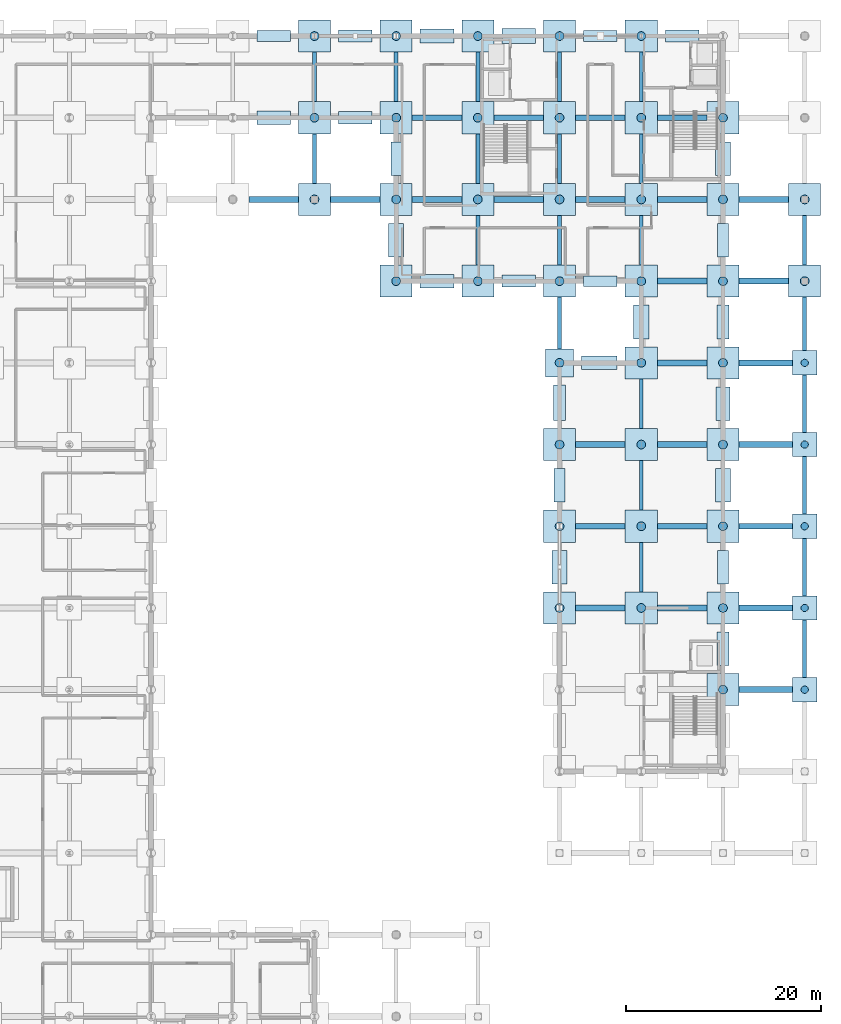
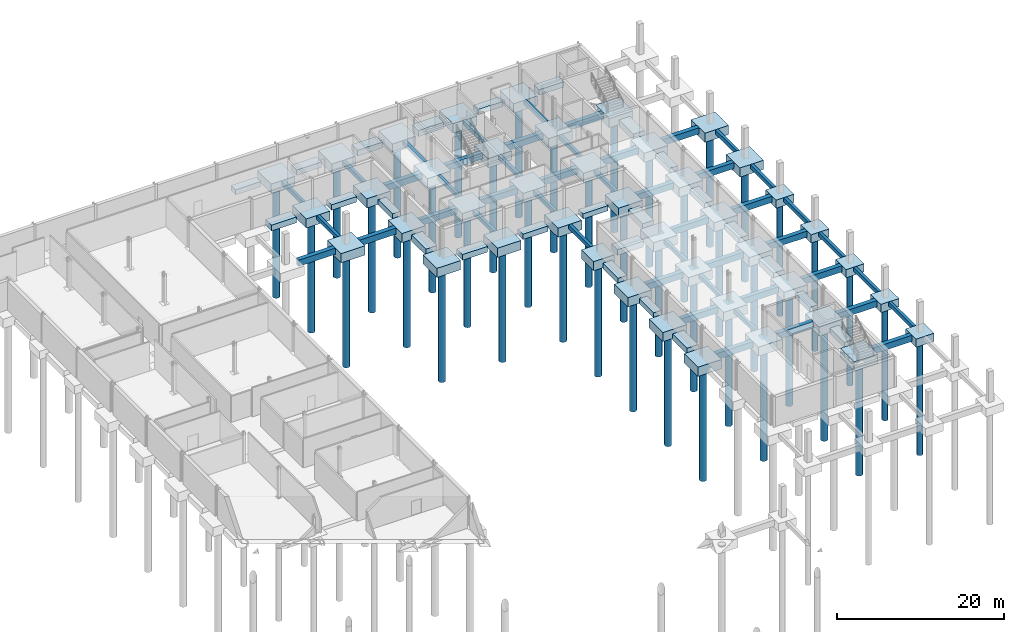
# One storey, part 7 of 43: 114 footings, 42 piles.
"""IFC4 building model written with IfcOpenShell, lengths in metres."""

from ifc_helpers import new_model, si_unit, direction, frame, origin, origin_2d, place, context, subcontext, project, spatial, rectangle, circle, extrude, material, layer, layer_set, material_profile, profile_set, type_object, element, save


model = new_model("IFC4")

# Units and contexts
model_context = context("Model", 3, precision=1e-05, world=origin(), true_north=direction((0.0, 1.0)))
body_context = subcontext(model_context, "Body", "Model", "MODEL_VIEW")
ifc_project = project(units=[si_unit("LENGTHUNIT", "METRE"), si_unit("AREAUNIT", "SQUARE_METRE"), si_unit("VOLUMEUNIT", "CUBIC_METRE"), si_unit("PLANEANGLEUNIT", "RADIAN"), si_unit("MASSUNIT", "GRAM", prefix="KILO")], contexts=[model_context])

# Site, building, storey
site_placement = place(None, origin())
site = spatial("IfcSite", under=ifc_project, at=site_placement, CompositionType="ELEMENT")
building_placement = place(site_placement, origin())
building = spatial("IfcBuilding", under=site, at=building_placement, Name="Mersafa Astral City Hall", CompositionType="ELEMENT")
storey_placement = place(building_placement, frame((0.0, 0.0, -4.5)))
storey = spatial("IfcBuildingStorey", under=building, at=storey_placement, Name="B1", CompositionType="ELEMENT", Elevation=-4.5)

# Footings
ifc_material = material(Name="Concrete C40/50", Category="concrete")
ifc_layer_1 = layer(ifc_material, 1.199951171875, Name="Concrete C40/50")
ifc_layer_set_1 = layer_set([ifc_layer_1], Name="Concrete C40/50 — STR-FTG-PC-2-250X250X1200")
footing_type_1 = type_object("IfcFootingType", Name="STR-FTG-PC-2-250X250X1200", PredefinedType="PILE_CAP", material=ifc_layer_set_1)
for number, where, z_axis, x_axis, name in (
    (1, (184.800048828125, 58.800048828125, -1.2001953125), (0.0, 0.0, 1.0), (1.0, 0.0, 0.0), "Reinforced concrete pile cap 112"),
    (2, (184.800048828125, 67.199951171875, -1.2001953125), (0.0, 0.0, 1.0), (1.0, 0.0, 0.0), "Reinforced concrete pile cap 123"),
    (3, (184.800048828125, 75.60009765625, -1.2001953125), (0.0, 0.0, 1.0), (1.0, 0.0, 0.0), "Reinforced concrete pile cap 137"),
    (4, (184.800048828125, 84.0, -1.2001953125), (0.0, 0.0, 1.0), (1.0, 0.0, 0.0), "Reinforced concrete pile cap 151"),
    (5, (184.800048828125, 92.39990234375, -1.2001953125), (0.0, 0.0, 1.0), (1.0, 0.0, 0.0), "Reinforced concrete pile cap 166"),
):
    element("IfcFooting", number, at=place(storey_placement, frame(where, z_axis=z_axis, x_axis=x_axis)), inside=storey, type_object=footing_type_1, Name=name, PredefinedType="PILE_CAP", context=body_context, shape_type="SweptSolid", body=[
        extrude(rectangle(XDim=2.5, YDim=2.5, at=origin_2d()), origin(), (0.0, 0.0, 1.0), 1.199951171875),
    ])
ifc_layer_2 = layer(ifc_material, 1.35009765625, Name="Concrete C40/50")
ifc_layer_set_2 = layer_set([ifc_layer_2], Name="Concrete C40/50 — STR-FTG-PC-3-290X290X1350")
footing_type_2 = type_object("IfcFootingType", Name="STR-FTG-PC-3-290X290X1350", PredefinedType="PILE_CAP", material=ifc_layer_set_2)
footing_1_placement = place(storey_placement, frame((159.60009765625, 92.39990234375, -1.35009765625), z_axis=(0.0, 0.0, 1.0), x_axis=(1.0, 0.0, 0.0)))
element("IfcFooting", 6, at=footing_1_placement, inside=storey, type_object=footing_type_2, Name="Reinforced concrete pile cap 164", PredefinedType="PILE_CAP", context=body_context, shape_type="SweptSolid", body=[
    extrude(rectangle(XDim=2.89990234375, YDim=2.89990234375, at=origin_2d()), origin(), (0.0, 0.0, 1.0), 1.35009765625),
])
ifc_layer_3 = layer(ifc_material, 1.35009765625, Name="Concrete C40/50")
ifc_layer_set_3 = layer_set([ifc_layer_3], Name="Concrete C40/50 — STR-FTG-PC-7-330X330X1350")
footing_type_3 = type_object("IfcFootingType", Name="STR-FTG-PC-7-330X330X1350", PredefinedType="PILE_CAP", material=ifc_layer_set_3)
for number, where, z_axis, x_axis, name in (
    (7, (176.39990234375, 58.800048828125, -1.35009765625), (0.0, 0.0, 1.0), (1.0, 0.0, 0.0), "Reinforced concrete pile cap 97"),
    (8, (159.60009765625, 67.199951171875, -1.35009765625), (0.0, 0.0, 1.0), (1.0, 0.0, 0.0), "Reinforced concrete pile cap 115"),
    (9, (168.0, 67.199951171875, -1.35009765625), (0.0, 0.0, 1.0), (1.0, 0.0, 0.0), "Reinforced concrete pile cap 116"),
    (10, (176.39990234375, 67.199951171875, -1.35009765625), (0.0, 0.0, 1.0), (1.0, 0.0, 0.0), "Reinforced concrete pile cap 117"),
    (11, (159.60009765625, 75.60009765625, -1.35009765625), (0.0, 0.0, 1.0), (1.0, 0.0, 0.0), "Reinforced concrete pile cap 129"),
    (12, (168.0, 75.60009765625, -1.35009765625), (0.0, 0.0, 1.0), (1.0, 0.0, 0.0), "Reinforced concrete pile cap 130"),
    (13, (176.39990234375, 75.60009765625, -1.35009765625), (0.0, 0.0, 1.0), (1.0, 0.0, 0.0), "Reinforced concrete pile cap 131"),
    (14, (159.60009765625, 84.0, -1.35009765625), (0.0, 0.0, 1.0), (1.0, 0.0, 0.0), "Reinforced concrete pile cap 143"),
    (15, (168.0, 84.0, -1.35009765625), (0.0, 0.0, 1.0), (1.0, 0.0, 0.0), "Reinforced concrete pile cap 144"),
    (16, (176.39990234375, 84.0, -1.35009765625), (0.0, 0.0, 1.0), (1.0, 0.0, 0.0), "Reinforced concrete pile cap 145"),
    (17, (168.0, 92.39990234375, -1.35009765625), (0.0, 0.0, 1.0), (1.0, 0.0, 0.0), "Reinforced concrete pile cap 162"),
    (18, (176.39990234375, 92.39990234375, -1.35009765625), (0.0, 0.0, 1.0), (1.0, 0.0, 0.0), "Reinforced concrete pile cap 163"),
    (19, (142.800048828125, 100.800048828125, -1.35009765625), (0.0, 0.0, 1.0), (1.0, 0.0, 0.0), "Reinforced concrete pile cap 176"),
    (20, (151.199951171875, 100.800048828125, -1.35009765625), (0.0, 0.0, 1.0), (1.0, 0.0, 0.0), "Reinforced concrete pile cap 177"),
    (21, (159.60009765625, 100.800048828125, -1.35009765625), (0.0, 0.0, 1.0), (1.0, 0.0, 0.0), "Reinforced concrete pile cap 178"),
    (22, (168.0, 100.800048828125, -1.35009765625), (0.0, 0.0, 1.0), (1.0, 0.0, 0.0), "Reinforced concrete pile cap 179"),
    (23, (176.39990234375, 100.800048828125, -1.35009765625), (0.0, 0.0, 1.0), (1.0, 0.0, 0.0), "Reinforced concrete pile cap 180"),
    (24, (184.800048828125, 100.800048828125, -1.35009765625), (0.0, 0.0, 1.0), (1.0, 0.0, 0.0), "Reinforced concrete pile cap 181"),
    (25, (134.39990234375, 109.199951171875, -1.35009765625), (0.0, 0.0, 1.0), (1.0, 0.0, 0.0), "Reinforced concrete pile cap 191"),
    (26, (142.800048828125, 109.199951171875, -1.35009765625), (0.0, 0.0, 1.0), (1.0, 0.0, 0.0), "Reinforced concrete pile cap 192"),
    (27, (151.199951171875, 109.199951171875, -1.35009765625), (0.0, 0.0, 1.0), (1.0, 0.0, 0.0), "Reinforced concrete pile cap 193"),
    (28, (159.60009765625, 109.199951171875, -1.35009765625), (0.0, 0.0, 1.0), (1.0, 0.0, 0.0), "Reinforced concrete pile cap 194"),
    (29, (168.0, 109.199951171875, -1.35009765625), (0.0, 0.0, 1.0), (1.0, 0.0, 0.0), "Reinforced concrete pile cap 195"),
    (30, (176.39990234375, 109.199951171875, -1.35009765625), (0.0, 0.0, 1.0), (1.0, 0.0, 0.0), "Reinforced concrete pile cap 196"),
    (31, (184.800048828125, 109.199951171875, -1.35009765625), (0.0, 0.0, 1.0), (1.0, 0.0, 0.0), "Reinforced concrete pile cap 197"),
    (32, (134.39990234375, 117.60009765625, -1.35009765625), (0.0, 0.0, 1.0), (1.0, 0.0, 0.0), "Reinforced concrete pile cap 212"),
    (33, (142.800048828125, 117.60009765625, -1.35009765625), (0.0, 0.0, 1.0), (1.0, 0.0, 0.0), "Reinforced concrete pile cap 213"),
    (34, (151.199951171875, 117.60009765625, -1.35009765625), (0.0, 0.0, 1.0), (1.0, 0.0, 0.0), "Reinforced concrete pile cap 214"),
    (35, (159.60009765625, 117.60009765625, -1.35009765625), (0.0, 0.0, 1.0), (1.0, 0.0, 0.0), "Reinforced concrete pile cap 215"),
    (36, (168.0, 117.60009765625, -1.35009765625), (0.0, 0.0, 1.0), (1.0, 0.0, 0.0), "Reinforced concrete pile cap 216"),
    (37, (176.39990234375, 117.60009765625, -1.35009765625), (0.0, 0.0, 1.0), (1.0, 0.0, 0.0), "Reinforced concrete pile cap 217"),
    (38, (134.39990234375, 126.0, -1.35009765625), (0.0, 0.0, 1.0), (1.0, 0.0, 0.0), "Reinforced concrete pile cap 232"),
    (39, (142.800048828125, 126.0, -1.35009765625), (0.0, 0.0, 1.0), (1.0, 0.0, 0.0), "Reinforced concrete pile cap 233"),
    (40, (151.199951171875, 126.0, -1.35009765625), (0.0, 0.0, 1.0), (1.0, 0.0, 0.0), "Reinforced concrete pile cap 234"),
    (41, (159.60009765625, 126.0, -1.35009765625), (0.0, 0.0, 1.0), (1.0, 0.0, 0.0), "Reinforced concrete pile cap 235"),
    (42, (168.0, 126.0, -1.35009765625), (0.0, 0.0, 1.0), (1.0, 0.0, 0.0), "Reinforced concrete pile cap 236"),
):
    element("IfcFooting", number, at=place(storey_placement, frame(where, z_axis=z_axis, x_axis=x_axis)), inside=storey, type_object=footing_type_3, Name=name, PredefinedType="PILE_CAP", context=body_context, shape_type="SweptSolid", body=[
        extrude(rectangle(XDim=3.300048828125, YDim=3.300048828125, at=origin_2d()), origin(), (0.0, 0.0, 1.0), 1.35009765625),
    ])
ifc_layer_4 = layer(ifc_material, 0.75, Name="Concrete C40/50")
ifc_layer_set_4 = layer_set([ifc_layer_4], Name="Concrete C40/50 — STR-FTG-STRIP-1")
footing_type_4 = type_object("IfcFootingType", Name="STR-FTG-STRIP-1", PredefinedType="STRIP_FOOTING", material=ifc_layer_set_4)
for number, where, z_axis, x_axis, name in (
    (43, (130.199951171875, 126.0, -0.75), (0.0, 0.0, 1.0), (1.0, 0.0, 0.0), "Retaining wall strip footing 44"),
    (44, (163.800048828125, 126.0, -0.75), (0.0, 0.0, 1.0), (1.0, 0.0, 0.0), "Retaining wall strip footing 48"),
    (45, (176.39990234375, 105.0, -0.75), (0.0, 0.0, 1.0), (0.0, -1.0, 0.0), "Retaining wall strip footing 52"),
    (46, (176.39990234375, 71.39990234375, -0.75), (0.0, 0.0, 1.0), (0.0, -1.0, 0.0), "Retaining wall strip footing 56"),
    (47, (159.60009765625, 79.800048828125, -0.75), (0.0, 0.0, 1.0), (0.0, 1.0, 0.0), "Retaining wall strip footing 64"),
    (48, (163.800048828125, 100.800048828125, -0.75), (0.0, 0.0, 1.0), (-1.0, 0.0, 0.0), "Retaining wall strip footing 68"),
    (49, (142.800048828125, 113.39990234375, -0.75), (0.0, 0.0, 1.0), (0.0, 1.0, 0.0), "Retaining wall strip footing 72"),
):
    element("IfcFooting", number, at=place(storey_placement, frame(where, z_axis=z_axis, x_axis=x_axis)), inside=storey, type_object=footing_type_4, Name=name, PredefinedType="STRIP_FOOTING", context=body_context, shape_type="SweptSolid", body=[
        extrude(rectangle(XDim=3.4599609375, YDim=1.10009765625, at=origin_2d()), origin(), (0.0, 0.0, 1.0), 0.75),
    ])
ifc_layer_5 = layer(ifc_material, 0.800048828125, Name="Concrete C40/50")
ifc_layer_set_5 = layer_set([ifc_layer_5], Name="Concrete C40/50 — STR-FTG-STRIP-2")
footing_type_5 = type_object("IfcFootingType", Name="STR-FTG-STRIP-2", PredefinedType="STRIP_FOOTING", material=ifc_layer_set_5)
for number, where, z_axis, x_axis, name in (
    (50, (138.60009765625, 126.0, -0.7998046875), (0.0, 0.0, 1.0), (1.0, 0.0, 0.0), "Retaining wall strip footing 45"),
    (51, (172.199951171875, 126.0, -0.7998046875), (0.0, 0.0, 1.0), (1.0, 0.0, 0.0), "Retaining wall strip footing 49"),
    (52, (176.39990234375, 96.60009765625, -0.7998046875), (0.0, 0.0, 1.0), (0.0, -1.0, 0.0), "Retaining wall strip footing 53"),
    (53, (176.39990234375, 63.0, -0.7998046875), (0.0, 0.0, 1.0), (0.0, -1.0, 0.0), "Retaining wall strip footing 57"),
):
    element("IfcFooting", number, at=place(storey_placement, frame(where, z_axis=z_axis, x_axis=x_axis)), inside=storey, type_object=footing_type_5, Name=name, PredefinedType="STRIP_FOOTING", context=body_context, shape_type="SweptSolid", body=[
        extrude(rectangle(XDim=3.4599609375, YDim=1.25, at=origin_2d()), origin(), (0.0, 0.0, 1.0), 0.800048828125),
    ])
footing_2_placement = place(storey_placement, frame((159.60009765625, 88.300048828125, -0.7998046875), z_axis=(0.0, 0.0, 1.0), x_axis=(0.0, 1.0, 0.0)))
element("IfcFooting", 54, at=footing_2_placement, inside=storey, type_object=footing_type_5, Name="Retaining wall strip footing 65", PredefinedType="STRIP_FOOTING", context=body_context, shape_type="SweptSolid", body=[
    extrude(rectangle(XDim=3.659912109375, YDim=1.25, at=origin_2d()), origin(), (0.0, 0.0, 1.0), 0.800048828125),
])
for number, where, z_axis, x_axis, name in (
    (55, (155.39990234375, 100.800048828125, -0.7998046875), (0.0, 0.0, 1.0), (-1.0, 0.0, 0.0), "Retaining wall strip footing 69"),
    (56, (138.60009765625, 117.60009765625, -0.7998046875), (0.0, 0.0, 1.0), (-1.0, 0.0, 0.0), "Retaining wall strip footing 73"),
):
    element("IfcFooting", number, at=place(storey_placement, frame(where, z_axis=z_axis, x_axis=x_axis)), inside=storey, type_object=footing_type_5, Name=name, PredefinedType="STRIP_FOOTING", context=body_context, shape_type="SweptSolid", body=[
        extrude(rectangle(XDim=3.4599609375, YDim=1.25, at=origin_2d()), origin(), (0.0, 0.0, 1.0), 0.800048828125),
    ])
ifc_layer_6 = layer(ifc_material, 0.85009765625, Name="Concrete C40/50")
ifc_layer_set_6 = layer_set([ifc_layer_6], Name="Concrete C40/50 — STR-FTG-STRIP-3")
footing_type_6 = type_object("IfcFootingType", Name="STR-FTG-STRIP-3", PredefinedType="STRIP_FOOTING", material=ifc_layer_set_6)
for number, where, z_axis, x_axis, name in (
    (57, (147.0, 126.0, -0.85009765625), (0.0, 0.0, 1.0), (1.0, 0.0, 0.0), "Retaining wall strip footing 46"),
    (58, (176.39990234375, 88.199951171875, -0.85009765625), (0.0, 0.0, 1.0), (0.0, -1.0, 0.0), "Retaining wall strip footing 54"),
):
    element("IfcFooting", number, at=place(storey_placement, frame(where, z_axis=z_axis, x_axis=x_axis)), inside=storey, type_object=footing_type_6, Name=name, PredefinedType="STRIP_FOOTING", context=body_context, shape_type="SweptSolid", body=[
        extrude(rectangle(XDim=3.4599609375, YDim=1.39990234375, at=origin_2d()), origin(), (0.0, 0.0, 1.0), 0.85009765625),
    ])
footing_3_placement = place(storey_placement, frame((163.699951171875, 92.39990234375, -0.85009765625), z_axis=(0.0, 0.0, 1.0), x_axis=(1.0, 0.0, 0.0)))
element("IfcFooting", 59, at=footing_3_placement, inside=storey, type_object=footing_type_6, Name="Retaining wall strip footing 66", PredefinedType="STRIP_FOOTING", context=body_context, shape_type="SweptSolid", body=[
    extrude(rectangle(XDim=3.659912109375, YDim=1.39990234375, at=origin_2d()), origin(), (0.0, 0.0, 1.0), 0.85009765625),
])
for number, where, z_axis, x_axis, name in (
    (60, (147.0, 100.800048828125, -0.85009765625), (0.0, 0.0, 1.0), (-1.0, 0.0, 0.0), "Retaining wall strip footing 70"),
    (61, (130.199951171875, 117.60009765625, -0.85009765625), (0.0, 0.0, 1.0), (-1.0, 0.0, 0.0), "Retaining wall strip footing 74"),
):
    element("IfcFooting", number, at=place(storey_placement, frame(where, z_axis=z_axis, x_axis=x_axis)), inside=storey, type_object=footing_type_6, Name=name, PredefinedType="STRIP_FOOTING", context=body_context, shape_type="SweptSolid", body=[
        extrude(rectangle(XDim=3.4599609375, YDim=1.39990234375, at=origin_2d()), origin(), (0.0, 0.0, 1.0), 0.85009765625),
    ])
ifc_layer_7 = layer(ifc_material, 0.89990234375, Name="Concrete C40/50")
ifc_layer_set_7 = layer_set([ifc_layer_7], Name="Concrete C40/50 — STR-FTG-STRIP-4")
footing_type_7 = type_object("IfcFootingType", Name="STR-FTG-STRIP-4", PredefinedType="STRIP_FOOTING", material=ifc_layer_set_7)
for number, where, z_axis, x_axis, name in (
    (62, (155.39990234375, 126.0, -0.89990234375), (0.0, 0.0, 1.0), (1.0, 0.0, 0.0), "Retaining wall strip footing 47"),
    (63, (176.39990234375, 113.39990234375, -0.89990234375), (0.0, 0.0, 1.0), (0.0, -1.0, 0.0), "Retaining wall strip footing 51"),
    (64, (176.39990234375, 79.800048828125, -0.89990234375), (0.0, 0.0, 1.0), (0.0, -1.0, 0.0), "Retaining wall strip footing 55"),
    (65, (159.60009765625, 71.39990234375, -0.89990234375), (0.0, 0.0, 1.0), (0.0, 1.0, 0.0), "Retaining wall strip footing 63"),
    (66, (168.0, 96.60009765625, -0.89990234375), (0.0, 0.0, 1.0), (0.0, 1.0, 0.0), "Retaining wall strip footing 67"),
    (67, (142.800048828125, 105.0, -0.89990234375), (0.0, 0.0, 1.0), (0.0, 1.0, 0.0), "Retaining wall strip footing 71"),
):
    element("IfcFooting", number, at=place(storey_placement, frame(where, z_axis=z_axis, x_axis=x_axis)), inside=storey, type_object=footing_type_7, Name=name, PredefinedType="STRIP_FOOTING", context=body_context, shape_type="SweptSolid", body=[
        extrude(rectangle(XDim=3.4599609375, YDim=1.550048828125, at=origin_2d()), origin(), (0.0, 0.0, 1.0), 0.89990234375),
    ])
ifc_material_profile_1 = material_profile(ifc_material, rectangle(XDim=0.39990234375, YDim=0.60009765625, at=origin_2d()), Name="RC 400x600")
ifc_profile_set_1 = profile_set([ifc_material_profile_1], Name="Concrete C40/50")
footing_type_8 = type_object("IfcFootingType", Name="STR-FTG-TIE-400X600", PredefinedType="FOOTING_BEAM", material=ifc_profile_set_1)
for number, where, z_axis, x_axis, name in (
    (68, (134.39990234375, 110.847900390625, -0.300048828125), (0.0, 1.0, 0.0), (-1.0, 0.0, 0.0), "Reinforced concrete ground tie beam 206"),
    (69, (134.39990234375, 119.248046875, -0.300048828125), (0.0, 1.0, 0.0), (-1.0, 0.0, 0.0), "Reinforced concrete ground tie beam 207"),
    (70, (142.800048828125, 119.248046875, -0.300048828125), (0.0, 1.0, 0.0), (-1.0, 0.0, 0.0), "Reinforced concrete ground tie beam 219"),
    (71, (151.199951171875, 102.447998046875, -0.300048828125), (0.0, 1.0, 0.0), (-1.0, 0.0, 0.0), "Reinforced concrete ground tie beam 224"),
    (72, (151.199951171875, 110.847900390625, -0.300048828125), (0.0, 1.0, 0.0), (-1.0, 0.0, 0.0), "Reinforced concrete ground tie beam 226"),
    (73, (151.199951171875, 119.248046875, -0.300048828125), (0.0, 1.0, 0.0), (-1.0, 0.0, 0.0), "Reinforced concrete ground tie beam 228"),
):
    element("IfcFooting", number, at=place(storey_placement, frame(where, z_axis=z_axis, x_axis=x_axis)), inside=storey, type_object=footing_type_8, Name=name, PredefinedType="FOOTING_BEAM", context=body_context, shape_type="SweptSolid", body=[
        extrude(rectangle(XDim=0.39990234375, YDim=0.60009765625, at=origin_2d()), origin(), (0.0, 0.0, 1.0), 5.10400390625),
    ])
footing_4_placement = place(storey_placement, frame((159.60009765625, 93.847900390625, -0.300048828125), z_axis=(0.0, 1.0, 0.0), x_axis=(-1.0, 0.0, 0.0)))
element("IfcFooting", 74, at=footing_4_placement, inside=storey, type_object=footing_type_8, Name="Reinforced concrete ground tie beam 235", PredefinedType="FOOTING_BEAM", context=body_context, shape_type="SweptSolid", body=[
    extrude(rectangle(XDim=0.39990234375, YDim=0.60009765625, at=origin_2d()), origin(), (0.0, 0.0, 1.0), 5.30419921875),
])
for number, where, z_axis, x_axis, name in (
    (75, (159.60009765625, 102.447998046875, -0.300048828125), (0.0, 1.0, 0.0), (-1.0, 0.0, 0.0), "Reinforced concrete ground tie beam 236"),
    (76, (159.60009765625, 110.847900390625, -0.300048828125), (0.0, 1.0, 0.0), (-1.0, 0.0, 0.0), "Reinforced concrete ground tie beam 238"),
    (77, (159.60009765625, 119.248046875, -0.300048828125), (0.0, 1.0, 0.0), (-1.0, 0.0, 0.0), "Reinforced concrete ground tie beam 240"),
    (78, (168.0, 68.847900390625, -0.300048828125), (0.0, 1.0, 0.0), (-1.0, 0.0, 0.0), "Reinforced concrete ground tie beam 247"),
    (79, (168.0, 77.248046875, -0.300048828125), (0.0, 1.0, 0.0), (-1.0, 0.0, 0.0), "Reinforced concrete ground tie beam 249"),
    (80, (168.0, 85.64794921875, -0.300048828125), (0.0, 1.0, 0.0), (-1.0, 0.0, 0.0), "Reinforced concrete ground tie beam 251"),
    (81, (168.0, 102.447998046875, -0.300048828125), (0.0, 1.0, 0.0), (-1.0, 0.0, 0.0), "Reinforced concrete ground tie beam 254"),
    (82, (168.0, 110.847900390625, -0.300048828125), (0.0, 1.0, 0.0), (-1.0, 0.0, 0.0), "Reinforced concrete ground tie beam 256"),
    (83, (168.0, 119.248046875, -0.300048828125), (0.0, 1.0, 0.0), (-1.0, 0.0, 0.0), "Reinforced concrete ground tie beam 258"),
):
    element("IfcFooting", number, at=place(storey_placement, frame(where, z_axis=z_axis, x_axis=x_axis)), inside=storey, type_object=footing_type_8, Name=name, PredefinedType="FOOTING_BEAM", context=body_context, shape_type="SweptSolid", body=[
        extrude(rectangle(XDim=0.39990234375, YDim=0.60009765625, at=origin_2d()), origin(), (0.0, 0.0, 1.0), 5.10400390625),
    ])
footing_5_placement = place(storey_placement, frame((184.800048828125, 60.048095703125, -0.300048828125), z_axis=(0.0, 1.0, 0.0), x_axis=(-1.0, 0.0, 0.0)))
element("IfcFooting", 84, at=footing_5_placement, inside=storey, type_object=footing_type_8, Name="Reinforced concrete ground tie beam 273", PredefinedType="FOOTING_BEAM", context=body_context, shape_type="SweptSolid", body=[
    extrude(rectangle(XDim=0.39990234375, YDim=0.60009765625, at=origin_2d()), origin(), (0.0, 0.0, 1.0), 5.90380859375),
])
for number, where, z_axis, x_axis, name in (
    (85, (184.800048828125, 68.447998046875, -0.300048828125), (0.0, 1.0, 0.0), (-1.0, 0.0, 0.0), "Reinforced concrete ground tie beam 274"),
    (86, (184.800048828125, 76.847900390625, -0.300048828125), (0.0, 1.0, 0.0), (-1.0, 0.0, 0.0), "Reinforced concrete ground tie beam 275"),
    (87, (184.800048828125, 85.248046875, -0.300048828125), (0.0, 1.0, 0.0), (-1.0, 0.0, 0.0), "Reinforced concrete ground tie beam 276"),
):
    element("IfcFooting", number, at=place(storey_placement, frame(where, z_axis=z_axis, x_axis=x_axis)), inside=storey, type_object=footing_type_8, Name=name, PredefinedType="FOOTING_BEAM", context=body_context, shape_type="SweptSolid", body=[
        extrude(rectangle(XDim=0.39990234375, YDim=0.60009765625, at=origin_2d()), origin(), (0.0, 0.0, 1.0), 5.904052734375),
    ])
footing_6_placement = place(storey_placement, frame((184.800048828125, 93.64794921875, -0.300048828125), z_axis=(0.0, 1.0, 0.0), x_axis=(-1.0, 0.0, 0.0)))
element("IfcFooting", 88, at=footing_6_placement, inside=storey, type_object=footing_type_8, Name="Reinforced concrete ground tie beam 277", PredefinedType="FOOTING_BEAM", context=body_context, shape_type="SweptSolid", body=[
    extrude(rectangle(XDim=0.39990234375, YDim=0.60009765625, at=origin_2d()), origin(), (0.0, 0.0, 1.0), 5.504150390625),
])
footing_7_placement = place(storey_placement, frame((184.800048828125, 102.447998046875, -0.300048828125), z_axis=(0.0, 1.0, 0.0), x_axis=(-1.0, 0.0, 0.0)))
element("IfcFooting", 89, at=footing_7_placement, inside=storey, type_object=footing_type_8, Name="Reinforced concrete ground tie beam 278", PredefinedType="FOOTING_BEAM", context=body_context, shape_type="SweptSolid", body=[
    extrude(rectangle(XDim=0.39990234375, YDim=0.60009765625, at=origin_2d()), origin(), (0.0, 0.0, 1.0), 5.10400390625),
])
ifc_material_profile_2 = material_profile(ifc_material, rectangle(XDim=0.60009765625, YDim=0.89990234375, at=origin_2d()), Name="RC 600x900")
ifc_profile_set_2 = profile_set([ifc_material_profile_2], Name="Concrete C40/50")
footing_type_9 = type_object("IfcFootingType", Name="STR-FTG-TIE-600X900", PredefinedType="FOOTING_BEAM", material=ifc_profile_set_2)
for number, where, z_axis, x_axis, name in (
    (90, (127.64794921875, 109.199951171875, -0.449951171875), (1.0, 0.0, 0.0), (0.0, 1.0, 0.0), "Reinforced concrete ground tie beam 196"),
    (91, (136.048095703125, 109.199951171875, -0.449951171875), (1.0, 0.0, 0.0), (0.0, 1.0, 0.0), "Reinforced concrete ground tie beam 205"),
    (92, (144.447998046875, 109.199951171875, -0.449951171875), (1.0, 0.0, 0.0), (0.0, 1.0, 0.0), "Reinforced concrete ground tie beam 217"),
    (93, (144.447998046875, 117.60009765625, -0.449951171875), (1.0, 0.0, 0.0), (0.0, 1.0, 0.0), "Reinforced concrete ground tie beam 218"),
    (94, (152.847900390625, 109.199951171875, -0.449951171875), (1.0, 0.0, 0.0), (0.0, 1.0, 0.0), "Reinforced concrete ground tie beam 225"),
    (95, (152.847900390625, 117.60009765625, -0.449951171875), (1.0, 0.0, 0.0), (0.0, 1.0, 0.0), "Reinforced concrete ground tie beam 227"),
    (96, (161.248046875, 67.199951171875, -0.449951171875), (1.0, 0.0, 0.0), (0.0, 1.0, 0.0), "Reinforced concrete ground tie beam 232"),
    (97, (161.248046875, 75.60009765625, -0.449951171875), (1.0, 0.0, 0.0), (0.0, 1.0, 0.0), "Reinforced concrete ground tie beam 233"),
    (98, (161.248046875, 84.0, -0.449951171875), (1.0, 0.0, 0.0), (0.0, 1.0, 0.0), "Reinforced concrete ground tie beam 234"),
    (99, (161.248046875, 109.199951171875, -0.449951171875), (1.0, 0.0, 0.0), (0.0, 1.0, 0.0), "Reinforced concrete ground tie beam 237"),
    (100, (161.248046875, 117.60009765625, -0.449951171875), (1.0, 0.0, 0.0), (0.0, 1.0, 0.0), "Reinforced concrete ground tie beam 239"),
    (101, (169.64794921875, 67.199951171875, -0.449951171875), (1.0, 0.0, 0.0), (0.0, 1.0, 0.0), "Reinforced concrete ground tie beam 246"),
    (102, (169.64794921875, 75.60009765625, -0.449951171875), (1.0, 0.0, 0.0), (0.0, 1.0, 0.0), "Reinforced concrete ground tie beam 248"),
    (103, (169.64794921875, 84.0, -0.449951171875), (1.0, 0.0, 0.0), (0.0, 1.0, 0.0), "Reinforced concrete ground tie beam 250"),
    (104, (169.64794921875, 92.39990234375, -0.449951171875), (1.0, 0.0, 0.0), (0.0, 1.0, 0.0), "Reinforced concrete ground tie beam 252"),
    (105, (169.64794921875, 100.800048828125, -0.449951171875), (1.0, 0.0, 0.0), (0.0, 1.0, 0.0), "Reinforced concrete ground tie beam 253"),
    (106, (169.64794921875, 109.199951171875, -0.449951171875), (1.0, 0.0, 0.0), (0.0, 1.0, 0.0), "Reinforced concrete ground tie beam 255"),
    (107, (169.64794921875, 117.60009765625, -0.449951171875), (1.0, 0.0, 0.0), (0.0, 1.0, 0.0), "Reinforced concrete ground tie beam 257"),
):
    element("IfcFooting", number, at=place(storey_placement, frame(where, z_axis=z_axis, x_axis=x_axis)), inside=storey, type_object=footing_type_9, Name=name, PredefinedType="FOOTING_BEAM", context=body_context, shape_type="SweptSolid", body=[
        extrude(rectangle(XDim=0.60009765625, YDim=0.89990234375, at=origin_2d()), origin(), (0.0, 0.0, 1.0), 5.10400390625),
    ])
for number, where, z_axis, x_axis, name in (
    (108, (178.048095703125, 58.800048828125, -0.449951171875), (1.0, 0.0, 0.0), (0.0, 1.0, 0.0), "Reinforced concrete ground tie beam 262"),
    (109, (178.048095703125, 67.199951171875, -0.449951171875), (1.0, 0.0, 0.0), (0.0, 1.0, 0.0), "Reinforced concrete ground tie beam 263"),
    (110, (178.048095703125, 75.60009765625, -0.449951171875), (1.0, 0.0, 0.0), (0.0, 1.0, 0.0), "Reinforced concrete ground tie beam 264"),
    (111, (178.048095703125, 84.0, -0.449951171875), (1.0, 0.0, 0.0), (0.0, 1.0, 0.0), "Reinforced concrete ground tie beam 265"),
    (112, (178.048095703125, 92.39990234375, -0.449951171875), (1.0, 0.0, 0.0), (0.0, 1.0, 0.0), "Reinforced concrete ground tie beam 266"),
):
    element("IfcFooting", number, at=place(storey_placement, frame(where, z_axis=z_axis, x_axis=x_axis)), inside=storey, type_object=footing_type_9, Name=name, PredefinedType="FOOTING_BEAM", context=body_context, shape_type="SweptSolid", body=[
        extrude(rectangle(XDim=0.60009765625, YDim=0.89990234375, at=origin_2d()), origin(), (0.0, 0.0, 1.0), 5.50390625),
    ])
for number, where, z_axis, x_axis, name in (
    (113, (178.048095703125, 100.800048828125, -0.449951171875), (1.0, 0.0, 0.0), (0.0, 1.0, 0.0), "Reinforced concrete ground tie beam 267"),
    (114, (178.048095703125, 109.199951171875, -0.449951171875), (1.0, 0.0, 0.0), (0.0, 1.0, 0.0), "Reinforced concrete ground tie beam 268"),
):
    element("IfcFooting", number, at=place(storey_placement, frame(where, z_axis=z_axis, x_axis=x_axis)), inside=storey, type_object=footing_type_9, Name=name, PredefinedType="FOOTING_BEAM", context=body_context, shape_type="SweptSolid", body=[
        extrude(rectangle(XDim=0.60009765625, YDim=0.89990234375, at=origin_2d()), origin(), (0.0, 0.0, 1.0), 5.10400390625),
    ])

# Piles
ifc_material_profile_3 = material_profile(ifc_material, circle(Radius=0.375, at=origin_2d()), Name="PILE D750")
ifc_profile_set_3 = profile_set([ifc_material_profile_3], Name="Concrete C40/50")
pile_type_1 = type_object("IfcPileType", Name="STR-PILE-D750", PredefinedType="BORED", material=ifc_profile_set_3)
for number, where, z_axis, x_axis, name in (
    (115, (184.800048828125, 58.800048828125, -1.050048828125), (0.0, 0.0, -1.0), (1.0, 0.0, 0.0), "Bored concrete pile 135"),
    (116, (184.800048828125, 67.199951171875, -1.050048828125), (0.0, 0.0, -1.0), (1.0, 0.0, 0.0), "Bored concrete pile 146"),
    (117, (184.800048828125, 75.60009765625, -1.050048828125), (0.0, 0.0, -1.0), (1.0, 0.0, 0.0), "Bored concrete pile 160"),
    (118, (184.800048828125, 84.0, -1.050048828125), (0.0, 0.0, -1.0), (1.0, 0.0, 0.0), "Bored concrete pile 174"),
    (119, (184.800048828125, 92.39990234375, -1.050048828125), (0.0, 0.0, -1.0), (1.0, 0.0, 0.0), "Bored concrete pile 189"),
):
    element("IfcPile", number, at=place(storey_placement, frame(where, z_axis=z_axis, x_axis=x_axis)), inside=storey, type_object=pile_type_1, Name=name, PredefinedType="BORED", context=body_context, shape_type="SweptSolid", body=[
        extrude(circle(Radius=0.375, at=origin_2d()), origin(), (0.0, 0.0, 1.0), 16.949951171875),
    ])
ifc_material_profile_4 = material_profile(ifc_material, circle(Radius=0.449951171875, at=origin_2d()), Name="PILE D900")
ifc_profile_set_4 = profile_set([ifc_material_profile_4], Name="Concrete C40/50")
pile_type_2 = type_object("IfcPileType", Name="STR-PILE-D900", PredefinedType="BORED", material=ifc_profile_set_4)
for number, where, z_axis, x_axis, name in (
    (120, (176.39990234375, 58.800048828125, -1.199951171875), (0.0, 0.0, -1.0), (1.0, 0.0, 0.0), "Bored concrete pile 120"),
    (121, (159.60009765625, 67.199951171875, -1.199951171875), (0.0, 0.0, -1.0), (1.0, 0.0, 0.0), "Bored concrete pile 138"),
    (122, (168.0, 67.199951171875, -1.199951171875), (0.0, 0.0, -1.0), (1.0, 0.0, 0.0), "Bored concrete pile 139"),
    (123, (176.39990234375, 67.199951171875, -1.199951171875), (0.0, 0.0, -1.0), (1.0, 0.0, 0.0), "Bored concrete pile 140"),
    (124, (159.60009765625, 75.60009765625, -1.199951171875), (0.0, 0.0, -1.0), (1.0, 0.0, 0.0), "Bored concrete pile 152"),
    (125, (168.0, 75.60009765625, -1.199951171875), (0.0, 0.0, -1.0), (1.0, 0.0, 0.0), "Bored concrete pile 153"),
    (126, (176.39990234375, 75.60009765625, -1.199951171875), (0.0, 0.0, -1.0), (1.0, 0.0, 0.0), "Bored concrete pile 154"),
    (127, (159.60009765625, 84.0, -1.199951171875), (0.0, 0.0, -1.0), (1.0, 0.0, 0.0), "Bored concrete pile 166"),
    (128, (168.0, 84.0, -1.199951171875), (0.0, 0.0, -1.0), (1.0, 0.0, 0.0), "Bored concrete pile 167"),
    (129, (176.39990234375, 84.0, -1.199951171875), (0.0, 0.0, -1.0), (1.0, 0.0, 0.0), "Bored concrete pile 168"),
    (130, (168.0, 92.39990234375, -1.199951171875), (0.0, 0.0, -1.0), (1.0, 0.0, 0.0), "Bored concrete pile 185"),
    (131, (176.39990234375, 92.39990234375, -1.199951171875), (0.0, 0.0, -1.0), (1.0, 0.0, 0.0), "Bored concrete pile 186"),
    (132, (159.60009765625, 92.39990234375, -1.199951171875), (0.0, 0.0, -1.0), (1.0, 0.0, 0.0), "Bored concrete pile 187"),
    (133, (142.800048828125, 100.800048828125, -1.199951171875), (0.0, 0.0, -1.0), (1.0, 0.0, 0.0), "Bored concrete pile 199"),
    (134, (151.199951171875, 100.800048828125, -1.199951171875), (0.0, 0.0, -1.0), (1.0, 0.0, 0.0), "Bored concrete pile 200"),
    (135, (159.60009765625, 100.800048828125, -1.199951171875), (0.0, 0.0, -1.0), (1.0, 0.0, 0.0), "Bored concrete pile 201"),
    (136, (168.0, 100.800048828125, -1.199951171875), (0.0, 0.0, -1.0), (1.0, 0.0, 0.0), "Bored concrete pile 202"),
    (137, (176.39990234375, 100.800048828125, -1.199951171875), (0.0, 0.0, -1.0), (1.0, 0.0, 0.0), "Bored concrete pile 203"),
    (138, (184.800048828125, 100.800048828125, -1.199951171875), (0.0, 0.0, -1.0), (1.0, 0.0, 0.0), "Bored concrete pile 204"),
    (139, (134.39990234375, 109.199951171875, -1.199951171875), (0.0, 0.0, -1.0), (1.0, 0.0, 0.0), "Bored concrete pile 214"),
    (140, (142.800048828125, 109.199951171875, -1.199951171875), (0.0, 0.0, -1.0), (1.0, 0.0, 0.0), "Bored concrete pile 215"),
    (141, (151.199951171875, 109.199951171875, -1.199951171875), (0.0, 0.0, -1.0), (1.0, 0.0, 0.0), "Bored concrete pile 216"),
    (142, (159.60009765625, 109.199951171875, -1.199951171875), (0.0, 0.0, -1.0), (1.0, 0.0, 0.0), "Bored concrete pile 217"),
    (143, (168.0, 109.199951171875, -1.199951171875), (0.0, 0.0, -1.0), (1.0, 0.0, 0.0), "Bored concrete pile 218"),
    (144, (176.39990234375, 109.199951171875, -1.199951171875), (0.0, 0.0, -1.0), (1.0, 0.0, 0.0), "Bored concrete pile 219"),
    (145, (184.800048828125, 109.199951171875, -1.199951171875), (0.0, 0.0, -1.0), (1.0, 0.0, 0.0), "Bored concrete pile 220"),
    (146, (134.39990234375, 117.60009765625, -1.199951171875), (0.0, 0.0, -1.0), (1.0, 0.0, 0.0), "Bored concrete pile 235"),
    (147, (142.800048828125, 117.60009765625, -1.199951171875), (0.0, 0.0, -1.0), (1.0, 0.0, 0.0), "Bored concrete pile 236"),
    (148, (151.199951171875, 117.60009765625, -1.199951171875), (0.0, 0.0, -1.0), (1.0, 0.0, 0.0), "Bored concrete pile 237"),
    (149, (159.60009765625, 117.60009765625, -1.199951171875), (0.0, 0.0, -1.0), (1.0, 0.0, 0.0), "Bored concrete pile 238"),
    (150, (168.0, 117.60009765625, -1.199951171875), (0.0, 0.0, -1.0), (1.0, 0.0, 0.0), "Bored concrete pile 239"),
    (151, (176.39990234375, 117.60009765625, -1.199951171875), (0.0, 0.0, -1.0), (1.0, 0.0, 0.0), "Bored concrete pile 240"),
    (152, (134.39990234375, 126.0, -1.199951171875), (0.0, 0.0, -1.0), (1.0, 0.0, 0.0), "Bored concrete pile 255"),
    (153, (142.800048828125, 126.0, -1.199951171875), (0.0, 0.0, -1.0), (1.0, 0.0, 0.0), "Bored concrete pile 256"),
    (154, (151.199951171875, 126.0, -1.199951171875), (0.0, 0.0, -1.0), (1.0, 0.0, 0.0), "Bored concrete pile 257"),
    (155, (159.60009765625, 126.0, -1.199951171875), (0.0, 0.0, -1.0), (1.0, 0.0, 0.0), "Bored concrete pile 258"),
    (156, (168.0, 126.0, -1.199951171875), (0.0, 0.0, -1.0), (1.0, 0.0, 0.0), "Bored concrete pile 259"),
):
    element("IfcPile", number, at=place(storey_placement, frame(where, z_axis=z_axis, x_axis=x_axis)), inside=storey, type_object=pile_type_2, Name=name, PredefinedType="BORED", context=body_context, shape_type="SweptSolid", body=[
        extrude(circle(Radius=0.449951171875, at=origin_2d()), origin(), (0.0, 0.0, 1.0), 16.800048828125),
    ])

save(model, "model.ifc")
